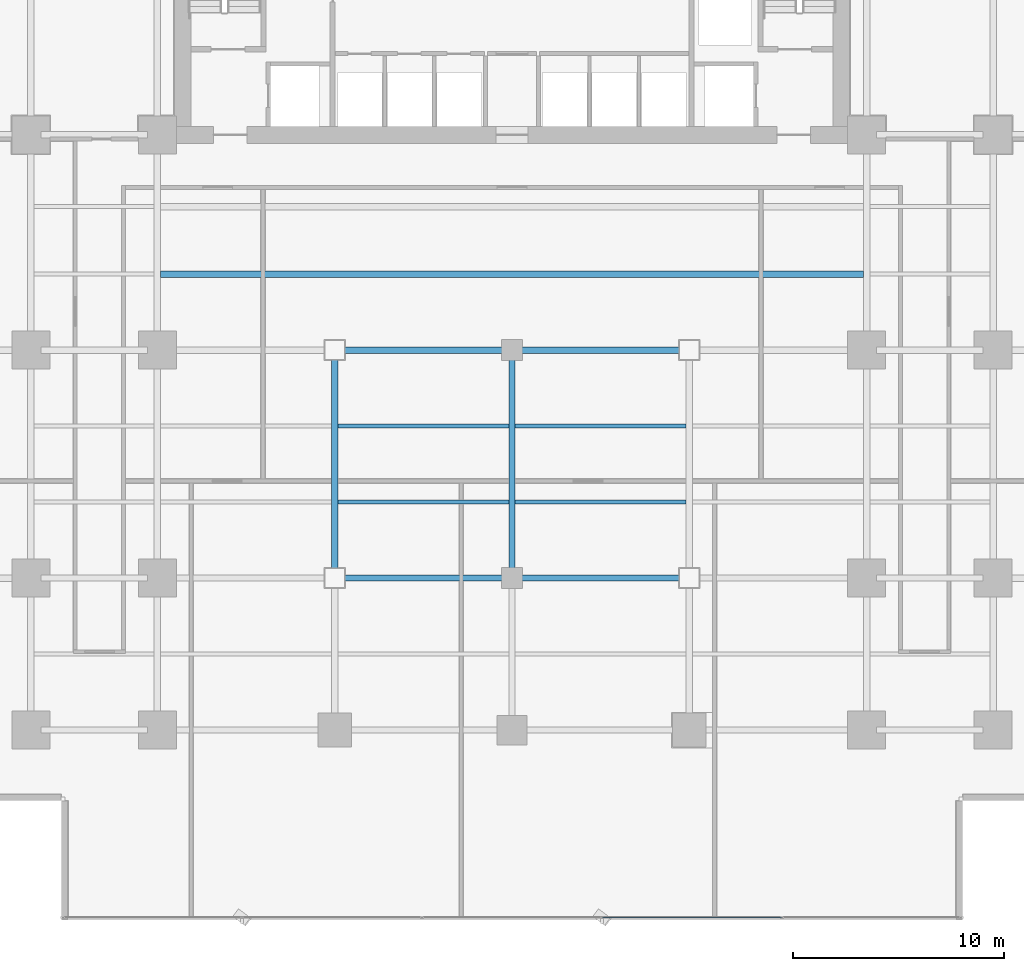
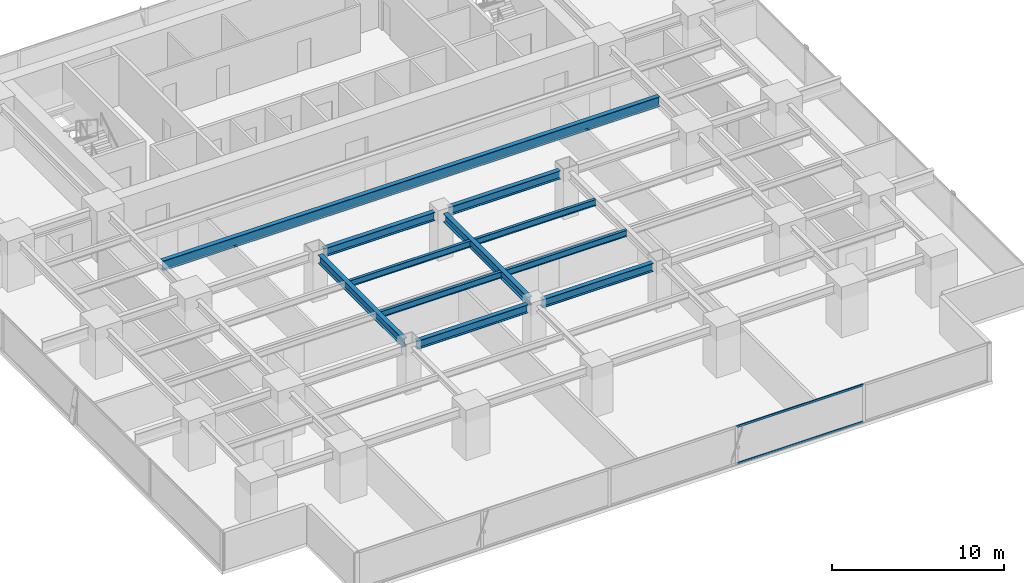
# One storey, part 10 of 33: 11 beams, 2 members, 1 element without a shape of its own.
"""IFC4 building model written with IfcOpenShell, lengths in metres."""

from ifc_helpers import new_model, si_unit, direction, frame, origin, origin_2d, place, context, subcontext, project, spatial, hollow_rectangle, i_section, extrude, source, transform, mapped, material, layer, layer_set, material_profile, profile_set, type_object, element, aggregate, save


model = new_model("IFC4")

# Units and contexts
model_context = context("Model", 3, precision=1e-05, world=origin(), true_north=direction((0.0, 1.0)))
body_context = subcontext(model_context, "Body", "Model", "MODEL_VIEW")
ifc_project = project(units=[si_unit("LENGTHUNIT", "METRE"), si_unit("AREAUNIT", "SQUARE_METRE"), si_unit("VOLUMEUNIT", "CUBIC_METRE"), si_unit("PLANEANGLEUNIT", "RADIAN"), si_unit("MASSUNIT", "GRAM", prefix="KILO")], contexts=[model_context])

# Site, building, storey
site_placement = place(None, origin())
site = spatial("IfcSite", under=ifc_project, at=site_placement, CompositionType="ELEMENT")
building_placement = place(site_placement, origin())
building = spatial("IfcBuilding", under=site, at=building_placement, Name="Sumidabori Civic Tower", CompositionType="ELEMENT")
storey_placement = place(building_placement, frame((0.0, 0.0, 66.800048828125)))
storey = spatial("IfcBuildingStorey", under=building, at=storey_placement, Name="L17", CompositionType="ELEMENT", Elevation=66.800048828125)

# Beams
ifc_material_1 = material(Name="Steel SN490", Category="steel")
ifc_material_profile_1 = material_profile(ifc_material_1, i_section(OverallWidth=0.300048828125, OverallDepth=0.60009765625, WebThickness=0.015380859375, FlangeThickness=0.030029296875, at=origin_2d()), Name="HE 600 B")
ifc_profile_set_1 = profile_set([ifc_material_profile_1], Name="Steel SN490")
beam_type_1 = type_object("IfcBeamType", Name="BM-GIRD-600", PredefinedType="BEAM", material=ifc_profile_set_1)
shared_shape_1 = source(origin(), body_context, "Body", "SweptSolid", [
    extrude(i_section(OverallWidth=0.300048828125, OverallDepth=0.60009765625, WebThickness=0.015380859375, FlangeThickness=0.030029296875, at=origin_2d()), origin(), (0.0, 0.0, 1.0), 7.43994140625),
])
for number, where, z_axis, x_axis, name in (
    (1, (-7.919921875, -10.800048828125, 3.0), (1.0, 0.0, 0.0), (0.0, 1.0, 0.0), "Primary Girder L17 GX-09"),
    (2, (0.47998046875, -10.800048828125, 3.0), (1.0, 0.0, 0.0), (0.0, 1.0, 0.0), "Primary Girder L17 GX-10"),
    (3, (-7.919921875, 0.0, 3.0), (1.0, 0.0, 0.0), (0.0, 1.0, 0.0), "Primary Girder L17 GX-15"),
    (4, (0.47998046875, 0.0, 3.0), (1.0, 0.0, 0.0), (0.0, 1.0, 0.0), "Primary Girder L17 GX-16"),
):
    element("IfcBeam", number, at=place(storey_placement, frame(where, z_axis=z_axis, x_axis=x_axis)), inside=storey, type_object=beam_type_1, Name=name, PredefinedType="BEAM", context=body_context, shape_type="MappedRepresentation", body=[
        mapped(shared_shape_1, transform((0.0, 0.0, 0.0), x_axis=(1.0, 0.0, 0.0), y_axis=(0.0, 1.0, 0.0), z_axis=(0.0, 0.0, 1.0), scale=1.0)),
    ])
shared_shape_2 = source(origin(), body_context, "Body", "SweptSolid", [
    extrude(i_section(OverallWidth=0.300048828125, OverallDepth=0.60009765625, WebThickness=0.015380859375, FlangeThickness=0.030029296875, at=origin_2d()), origin(), (0.0, 0.0, 1.0), 9.840087890625),
])
for number, where, z_axis, x_axis, name in (
    (5, (-8.39990234375, -10.320068359375, 3.0), (0.0, 1.0, 0.0), (-1.0, 0.0, 0.0), "Primary Girder L17 GY-30"),
    (6, (0.0, -10.320068359375, 3.0), (0.0, 1.0, 0.0), (-1.0, 0.0, 0.0), "Primary Girder L17 GY-32"),
):
    element("IfcBeam", number, at=place(storey_placement, frame(where, z_axis=z_axis, x_axis=x_axis)), inside=storey, type_object=beam_type_1, Name=name, PredefinedType="BEAM", context=body_context, shape_type="MappedRepresentation", body=[
        mapped(shared_shape_2, transform((0.0, 0.0, 0.0), x_axis=(1.0, 0.0, 0.0), y_axis=(0.0, 1.0, 0.0), z_axis=(0.0, 0.0, 1.0), scale=1.0)),
    ])
ifc_material_profile_2 = material_profile(ifc_material_1, i_section(OverallWidth=0.300048828125, OverallDepth=0.699951171875, WebThickness=0.01708984375, FlangeThickness=0.031982421875, at=origin_2d()), Name="HE 700 B")
ifc_profile_set_2 = profile_set([ifc_material_profile_2], Name="Steel SN490")
beam_type_2 = type_object("IfcBeamType", Name="BM-GIRD-700", PredefinedType="BEAM", material=ifc_profile_set_2)
shared_shape_3 = source(origin(), body_context, "Body", "SweptSolid", [
    extrude(i_section(OverallWidth=0.300048828125, OverallDepth=0.699951171875, WebThickness=0.01708984375, FlangeThickness=0.031982421875, at=origin_2d()), origin(), (0.0, 0.0, 1.0), 33.2998046875),
])
beam_placement = place(storey_placement, frame((-16.64990234375, 3.60009765625, 2.949951171875), z_axis=(1.0, 0.0, 0.0), x_axis=(0.0, 1.0, 0.0)))
element("IfcBeam", 7, at=beam_placement, inside=storey, type_object=beam_type_2, Name="North Bay Floor Beam L17 JSTN-59", PredefinedType="BEAM", context=body_context, shape_type="MappedRepresentation", body=[
    mapped(shared_shape_3, transform((0.0, 0.0, 0.0), x_axis=(1.0, 0.0, 0.0), y_axis=(0.0, 1.0, 0.0), z_axis=(0.0, 0.0, 1.0), scale=1.0)),
])
ifc_material_profile_3 = material_profile(ifc_material_1, i_section(OverallWidth=0.18994140625, OverallDepth=0.449951171875, WebThickness=0.009521484375, FlangeThickness=0.0146484375, at=origin_2d()), Name="IPE 450")
ifc_profile_set_3 = profile_set([ifc_material_profile_3], Name="Steel SN490")
beam_type_3 = type_object("IfcBeamType", Name="BM-JST-450", PredefinedType="JOIST", material=ifc_profile_set_3)
shared_shape_4 = source(origin(), body_context, "Body", "SweptSolid", [
    extrude(i_section(OverallWidth=0.18994140625, OverallDepth=0.449951171875, WebThickness=0.009521484375, FlangeThickness=0.0146484375, at=origin_2d()), origin(), (0.0, 0.0, 1.0), 8.10009765625),
])
for number, where, z_axis, x_axis, name in (
    (8, (-8.25, -7.199951171875, 3.074951171875), (1.0, 0.0, 0.0), (0.0, 1.0, 0.0), "South Bay Floor Joist L17 JSTS-66"),
    (9, (0.14990234375, -7.199951171875, 3.074951171875), (1.0, 0.0, 0.0), (0.0, 1.0, 0.0), "South Bay Floor Joist L17 JSTS-67"),
    (10, (-8.25, -3.60009765625, 3.074951171875), (1.0, 0.0, 0.0), (0.0, 1.0, 0.0), "South Bay Floor Joist L17 JSTS-70"),
    (11, (0.14990234375, -3.60009765625, 3.074951171875), (1.0, 0.0, 0.0), (0.0, 1.0, 0.0), "South Bay Floor Joist L17 JSTS-71"),
):
    element("IfcBeam", number, at=place(storey_placement, frame(where, z_axis=z_axis, x_axis=x_axis)), inside=storey, type_object=beam_type_3, Name=name, PredefinedType="JOIST", context=body_context, shape_type="MappedRepresentation", body=[
        mapped(shared_shape_4, transform((0.0, 0.0, 0.0), x_axis=(1.0, 0.0, 0.0), y_axis=(0.0, 1.0, 0.0), z_axis=(0.0, 0.0, 1.0), scale=1.0)),
    ])

# Curtain wall, members
ifc_material_2 = material(Name="Anodised Bronze Aluminium AW-6063-T6", Category="aluminium")
ifc_layer = layer(ifc_material_2, 0.179931640625, Name="Anodised Bronze Aluminium AW-6063-T6")
ifc_layer_set = layer_set([ifc_layer], Name="Anodised Bronze Aluminium AW-6063-T6")
curtain_wall_type = type_object("IfcCurtainWallType", Name="CW-SYS-2", PredefinedType="NOTDEFINED", material=ifc_layer_set)
curtain_wall_placement = place(storey_placement, origin())
curtain_wall = element("IfcCurtainWall", 12, at=curtain_wall_placement, inside=storey, type_object=curtain_wall_type, Name="Curtain Wall CW:L17:R01", PredefinedType="NOTDEFINED")
ifc_material_profile_4 = material_profile(ifc_material_2, hollow_rectangle(XDim=0.06494140625, YDim=0.14990234375, WallThickness=0.0048828125, at=origin_2d()), Name="ALU TRANSOM 150x65")
ifc_profile_set_4 = profile_set([ifc_material_profile_4], Name="Anodised Bronze Aluminium AW-6063-T6")
member_type = type_object("IfcMemberType", Name="CW-TRN-150", PredefinedType="USERDEFINED", material=ifc_profile_set_4)
shared_shape_5 = source(origin(), body_context, "Body", "SweptSolid", [
    extrude(hollow_rectangle(XDim=0.06494140625, YDim=0.14990234375, WallThickness=0.0048828125, at=origin_2d()), origin(), (0.0, 0.0, 1.0), 8.4580078125),
])
member_1_placement = place(storey_placement, frame((4.299072265625, -26.8798828125, 0.032470703125), z_axis=(1.0, 0.0, 0.0), x_axis=(0.0, 1.0, 0.0)))
member_1 = element("IfcMember", 13, at=member_1_placement, type_object=member_type, Name="CW-2 transom 4.1", ObjectType="TRANSOM", PredefinedType="USERDEFINED", context=body_context, shape_type="MappedRepresentation", body=[
    mapped(shared_shape_5, transform((0.0, 0.0, 0.0), x_axis=(1.0, 0.0, 0.0), y_axis=(0.0, 1.0, 0.0), z_axis=(0.0, 0.0, 1.0), scale=1.0)),
])
member_2_placement = place(storey_placement, frame((4.299072265625, -26.8798828125, 2.6474609375), z_axis=(1.0, 0.0, 0.0), x_axis=(0.0, 1.0, 0.0)))
member_2 = element("IfcMember", 14, at=member_2_placement, type_object=member_type, Name="CW-2 transom 4.2", ObjectType="TRANSOM", PredefinedType="USERDEFINED", context=body_context, shape_type="MappedRepresentation", body=[
    mapped(shared_shape_5, transform((0.0, 0.0, 0.0), x_axis=(1.0, 0.0, 0.0), y_axis=(0.0, 1.0, 0.0), z_axis=(0.0, 0.0, 1.0), scale=1.0)),
])
aggregate(curtain_wall, [member_1, member_2])

save(model, "model.ifc")
